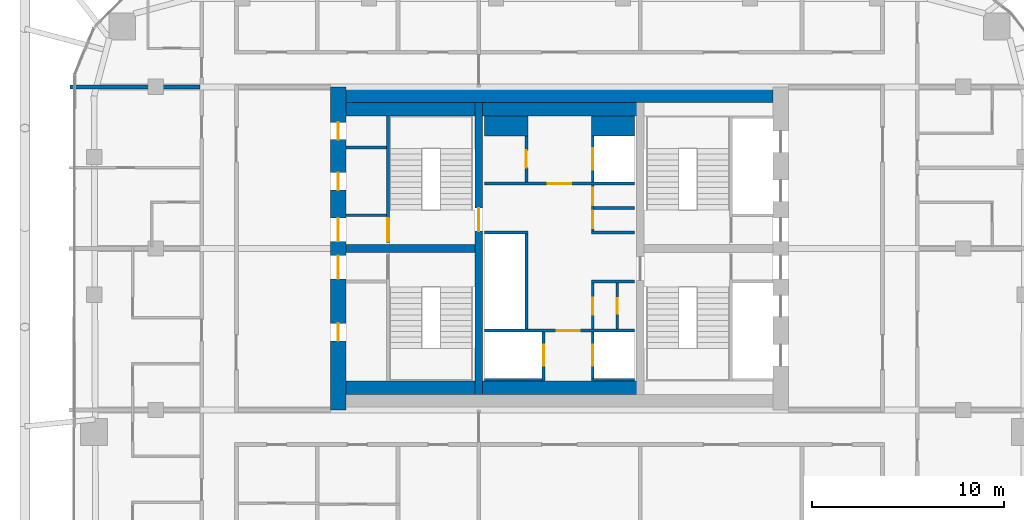
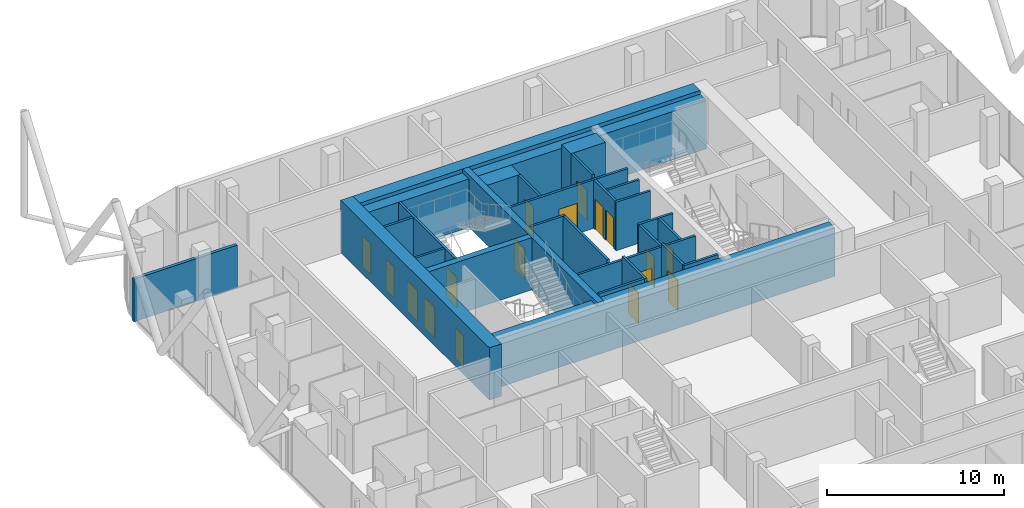
# One storey, part 27 of 31: 28 walls, 17 doors, 17 openings.
"""IFC4 building model written with IfcOpenShell, lengths in metres."""

from ifc_helpers import new_model, si_unit, direction, frame, frame_2d, origin, place, context, subcontext, project, spatial, rectangle, extrude, material, layer, layer_set, type_object, element, fill, save


model = new_model("IFC4")

# Units and contexts
model_context = context("Model", 3, precision=1e-05, world=origin(), true_north=direction((0.0, 1.0)))
body_context = subcontext(model_context, "Body", "Model", "MODEL_VIEW")
ifc_project = project(units=[si_unit("LENGTHUNIT", "METRE"), si_unit("AREAUNIT", "SQUARE_METRE"), si_unit("VOLUMEUNIT", "CUBIC_METRE"), si_unit("PLANEANGLEUNIT", "RADIAN"), si_unit("MASSUNIT", "GRAM", prefix="KILO")], contexts=[model_context])

# Site, building, storey
site_placement = place(None, origin())
site = spatial("IfcSite", under=ifc_project, at=site_placement, CompositionType="ELEMENT")
building_placement = place(site_placement, origin())
building = spatial("IfcBuilding", under=site, at=building_placement, Name="Marenta Gate Hotel Tower", CompositionType="ELEMENT")
storey_placement = place(building_placement, frame((0.0, 0.0, 205.699951171875)))
storey = spatial("IfcBuildingStorey", under=building, at=storey_placement, Name="L47", CompositionType="ELEMENT", Elevation=205.699951171875)

# Walls
ifc_material_1 = material(Name="Concrete C40", Category="concrete")
ifc_layer_1 = layer(ifc_material_1, 0.699951171875)
ifc_layer_set_1 = layer_set([ifc_layer_1], Name="Concrete C40")
wall_type_1 = type_object("IfcWallType", Name="Core lining wall 700 REI 180", PredefinedType="PARTITIONING", material=ifc_layer_set_1)
for number, where, z_axis, x_axis, name in (
    (1, (-11.10009765625, 1.14990234375, 0.0), (0.0, 0.0, 1.0), (1.0, 0.0, 0.0), "L47-CP-LN-S"),
    (2, (-11.10009765625, 15.64990234375, 0.0), (0.0, 0.0, 1.0), (1.0, 0.0, 0.0), "L47-CP-LN-N"),
):
    element("IfcWall", number, at=place(storey_placement, frame(where, z_axis=z_axis, x_axis=x_axis)), inside=storey, type_object=wall_type_1, Name=name, PredefinedType="PARTITIONING", context=body_context, shape_type="SweptSolid", body=[
        extrude(rectangle(XDim=22.2001953125, YDim=0.699951171875, at=frame_2d((11.10009765625, 0.0))), origin(), (0.0, 0.0, 1.0), 3.340087890625),
    ])

# Wall, opening, door
ifc_material_2 = material(Name="Concrete blockwork", Category="masonry")
ifc_layer_2 = layer(ifc_material_2, 0.14990234375)
ifc_layer_set_2 = layer_set([ifc_layer_2], Name="Concrete blockwork")
wall_type_2 = type_object("IfcWallType", Name="Core lobby partition 150 REI 180", PredefinedType="PARTITIONING", material=ifc_layer_set_2)
wall_1_placement = place(storey_placement, frame((-3.89990234375, 4.125, 0.0), z_axis=(0.0, 0.0, 1.0), x_axis=(1.0, 0.0, 0.0)))
wall_1 = element("IfcWall", 3, at=wall_1_placement, inside=storey, type_object=wall_type_2, Name="L47-CP-CW-S", PredefinedType="PARTITIONING", context=body_context, shape_type="SweptSolid", body=[
    extrude(rectangle(XDim=7.7998046875, YDim=0.14990234375, at=frame_2d((3.89990234375, 0.0))), origin(), (0.0, 0.0, 1.0), 3.340087890625),
])
opening_1_placement = place(wall_1_placement, frame((3.75, 0.0, 0.0)))
opening_1 = element("IfcOpeningElement", 4, at=opening_1_placement, cuts=wall_1, Name="Opening FD-FFS", PredefinedType="OPENING", context=body_context, shape_type="SweptSolid", body=[
    extrude(rectangle(XDim=1.199951171875, YDim=2.10009765625, at=frame_2d((0.60009765625, 1.050048828125))), frame((0.0, 0.074951171875, 0.0), z_axis=(0.0, -1.0, 0.0), x_axis=(1.0, 0.0, 0.0)), (0.0, 0.0, 1.0), 0.14990234375),
])
ifc_material_3 = material(Name="Steel", Category="steel")
door_type_1 = type_object("IfcDoorType", Name="Core lobby door 1200x2100 FD60", OperationType="SINGLE_SWING_LEFT", PredefinedType="DOOR", material=ifc_material_3)
door_1_placement = place(opening_1_placement, origin())
door_1 = element("IfcDoor", 5, at=door_1_placement, inside=storey, type_object=door_type_1, Name="FD-FFS", OperationType="SINGLE_SWING_LEFT", OverallHeight=2.10009765625, OverallWidth=1.199951171875, PredefinedType="DOOR", context=body_context, shape_type="SweptSolid", body=[
    extrude(rectangle(XDim=1.199951171875, YDim=2.10009765625, at=frame_2d((0.60009765625, 1.050048828125))), frame((0.0, 0.02490234375, 0.0), z_axis=(0.0, -1.0, 0.0), x_axis=(1.0, 0.0, 0.0)), (0.0, 0.0, 1.0), 0.050048828125),
])
fill(opening_1, door_1)

wall_2_placement = place(storey_placement, frame((-3.89990234375, 11.77490234375, 0.0), z_axis=(0.0, 0.0, 1.0), x_axis=(1.0, 0.0, 0.0)))
wall_2 = element("IfcWall", 6, at=wall_2_placement, inside=storey, type_object=wall_type_2, Name="L47-CP-CW-N", PredefinedType="PARTITIONING", context=body_context, shape_type="SweptSolid", body=[
    extrude(rectangle(XDim=7.7998046875, YDim=0.14990234375, at=frame_2d((3.89990234375, 0.0))), origin(), (0.0, 0.0, 1.0), 3.340087890625),
])
opening_2_placement = place(wall_2_placement, frame((3.300048828125, 0.0, 0.0)))
opening_2 = element("IfcOpeningElement", 7, at=opening_2_placement, cuts=wall_2, Name="Opening FD-FFN", PredefinedType="OPENING", context=body_context, shape_type="SweptSolid", body=[
    extrude(rectangle(XDim=1.199951171875, YDim=2.10009765625, at=frame_2d((0.60009765625, 1.050048828125))), frame((0.0, 0.074951171875, 0.0), z_axis=(0.0, -1.0, 0.0), x_axis=(1.0, 0.0, 0.0)), (0.0, 0.0, 1.0), 0.14990234375),
])
door_2_placement = place(opening_2_placement, origin())
door_2 = element("IfcDoor", 8, at=door_2_placement, inside=storey, type_object=door_type_1, Name="FD-FFN", OperationType="SINGLE_SWING_LEFT", OverallHeight=2.10009765625, OverallWidth=1.199951171875, PredefinedType="DOOR", context=body_context, shape_type="SweptSolid", body=[
    extrude(rectangle(XDim=1.199951171875, YDim=2.10009765625, at=frame_2d((0.60009765625, 1.050048828125))), frame((0.0, 0.02490234375, 0.0), z_axis=(0.0, -1.0, 0.0), x_axis=(1.0, 0.0, 0.0)), (0.0, 0.0, 1.0), 0.050048828125),
])
fill(opening_2, door_2)

# Walls
ifc_material_4 = material(Name="Concrete blockwork", Category="masonry")
ifc_layer_3 = layer(ifc_material_4, 1.050048828125)
ifc_layer_set_3 = layer_set([ifc_layer_3], Name="Concrete blockwork")
wall_type_3 = type_object("IfcWallType", Name="Core room partition 1050 REI 180", PredefinedType="PARTITIONING", material=ifc_layer_set_3)
wall_3_placement = place(storey_placement, frame((-3.89990234375, 14.77490234375, 0.0), z_axis=(0.0, 0.0, 1.0), x_axis=(1.0, 0.0, 0.0)))
element("IfcWall", 9, at=wall_3_placement, inside=storey, type_object=wall_type_3, Name="L47-CP-CW-W-riser-N", PredefinedType="PARTITIONING", context=body_context, shape_type="SweptSolid", body=[
    extrude(rectangle(XDim=2.25, YDim=1.050048828125, at=frame_2d((1.125, 0.0))), origin(), (0.0, 0.0, 1.0), 3.340087890625),
])
ifc_material_5 = material(Name="Concrete blockwork", Category="masonry")
ifc_layer_4 = layer(ifc_material_5, 0.14990234375)
ifc_layer_set_4 = layer_set([ifc_layer_4], Name="Concrete blockwork")
wall_type_4 = type_object("IfcWallType", Name="Core room partition 150 REI 180", PredefinedType="PARTITIONING", material=ifc_layer_set_4)
for number, where, z_axis, x_axis, name in (
    (10, (-11.10009765625, 10.125, 0.0), (0.0, 0.0, 1.0), (1.0, 0.0, 0.0), "L47-CP-SW-WN-2"),
    (11, (-11.10009765625, 13.64990234375, 0.0), (0.0, 0.0, 1.0), (1.0, 0.0, 0.0), "L47-CP-RW-WN-1"),
):
    element("IfcWall", number, at=place(storey_placement, frame(where, z_axis=z_axis, x_axis=x_axis)), inside=storey, type_object=wall_type_4, Name=name, PredefinedType="PARTITIONING", context=body_context, shape_type="SweptSolid", body=[
        extrude(rectangle(XDim=2.10009765625, YDim=0.14990234375, at=frame_2d((1.050048828125, 0.0))), origin(), (0.0, 0.0, 1.0), 3.340087890625),
    ])

# Wall, opening, door
wall_4_placement = place(storey_placement, frame((-1.72509765625, 11.85009765625, 0.0), z_axis=(0.0, 0.0, 1.0), x_axis=(0.0, 1.0, 0.0)))
wall_4 = element("IfcWall", 12, at=wall_4_placement, inside=storey, type_object=wall_type_4, Name="L47-CP-CW-W-riser-front", PredefinedType="PARTITIONING", context=body_context, shape_type="SweptSolid", body=[
    extrude(rectangle(XDim=2.39990234375, YDim=0.14990234375, at=frame_2d((1.199951171875, 0.0))), origin(), (0.0, 0.0, 1.0), 3.340087890625),
])
opening_3_placement = place(wall_4_placement, frame((0.75, 0.0, 0.0)))
opening_3 = element("IfcOpeningElement", 13, at=opening_3_placement, cuts=wall_4, Name="Opening RD-CRISER", PredefinedType="OPENING", context=body_context, shape_type="SweptSolid", body=[
    extrude(rectangle(XDim=0.89990234375, YDim=2.10009765625, at=frame_2d((0.449951171875, 1.050048828125))), frame((0.0, 0.074951171875, 0.0), z_axis=(0.0, -1.0, 0.0), x_axis=(1.0, 0.0, 0.0)), (0.0, 0.0, 1.0), 0.14990234375),
])
ifc_material_6 = material(Name="Steel", Category="steel")
door_type_2 = type_object("IfcDoorType", Name="Core riser door 900x2100 FD60", OperationType="SINGLE_SWING_LEFT", PredefinedType="DOOR", material=ifc_material_6)
door_3_placement = place(opening_3_placement, origin())
door_3 = element("IfcDoor", 14, at=door_3_placement, inside=storey, type_object=door_type_2, Name="RD-CRISER", OperationType="SINGLE_SWING_LEFT", OverallHeight=2.10009765625, OverallWidth=0.89990234375, PredefinedType="DOOR", context=body_context, shape_type="SweptSolid", body=[
    extrude(rectangle(XDim=0.89990234375, YDim=2.10009765625, at=frame_2d((0.449951171875, 1.050048828125))), frame((0.0, 0.02490234375, 0.0), z_axis=(0.0, -1.0, 0.0), x_axis=(1.0, 0.0, 0.0)), (0.0, 0.0, 1.0), 0.050048828125),
])
fill(opening_3, door_3)

# Walls
for number, where, z_axis, x_axis, name in (
    (15, (1.64990234375, 6.675048828125, 0.0), (0.0, 0.0, 1.0), (1.0, 0.0, 0.0), "L47-CP-CE-sep1"),
    (16, (1.64990234375, 9.22509765625, 0.0), (0.0, 0.0, 1.0), (1.0, 0.0, 0.0), "L47-CP-CE-sep2"),
):
    element("IfcWall", number, at=place(storey_placement, frame(where, z_axis=z_axis, x_axis=x_axis)), inside=storey, type_object=wall_type_4, Name=name, PredefinedType="PARTITIONING", context=body_context, shape_type="SweptSolid", body=[
        extrude(rectangle(XDim=2.25, YDim=0.14990234375, at=frame_2d((1.125, 0.0))), origin(), (0.0, 0.0, 1.0), 3.340087890625),
    ])

# Wall, opening, door
wall_5_placement = place(storey_placement, frame((1.72509765625, 4.199951171875, 0.0), z_axis=(0.0, 0.0, 1.0), x_axis=(0.0, 1.0, 0.0)))
wall_5 = element("IfcWall", 17, at=wall_5_placement, inside=storey, type_object=wall_type_4, Name="L47-CP-CE-front-1", PredefinedType="PARTITIONING", context=body_context, shape_type="SweptSolid", body=[
    extrude(rectangle(XDim=2.400146484375, YDim=0.14990234375, at=frame_2d((1.2001953125, 0.0))), origin(), (0.0, 0.0, 1.0), 3.340087890625),
])
opening_4_placement = place(wall_5_placement, frame((0.75, 0.0, 0.0)))
opening_4 = element("IfcOpeningElement", 18, at=opening_4_placement, cuts=wall_5, Name="Opening RD-CE-1a", PredefinedType="OPENING", context=body_context, shape_type="SweptSolid", body=[
    extrude(rectangle(XDim=0.89990234375, YDim=2.10009765625, at=frame_2d((0.449951171875, 1.050048828125))), frame((0.0, 0.074951171875, 0.0), z_axis=(0.0, -1.0, 0.0), x_axis=(1.0, 0.0, 0.0)), (0.0, 0.0, 1.0), 0.14990234375),
])
ifc_material_7 = material(Name="Steel", Category="steel")
door_type_3 = type_object("IfcDoorType", Name="Core service room door 900x2100 FD30S", OperationType="SINGLE_SWING_LEFT", PredefinedType="DOOR", material=ifc_material_7)
door_4_placement = place(opening_4_placement, origin())
door_4 = element("IfcDoor", 19, at=door_4_placement, inside=storey, type_object=door_type_3, Name="RD-CE-1a", OperationType="SINGLE_SWING_LEFT", OverallHeight=2.10009765625, OverallWidth=0.89990234375, PredefinedType="DOOR", context=body_context, shape_type="SweptSolid", body=[
    extrude(rectangle(XDim=0.89990234375, YDim=2.10009765625, at=frame_2d((0.449951171875, 1.050048828125))), frame((0.0, 0.02490234375, 0.0), z_axis=(0.0, -1.0, 0.0), x_axis=(1.0, 0.0, 0.0)), (0.0, 0.0, 1.0), 0.050048828125),
])
fill(opening_4, door_4)

# Wall, openings, doors
wall_6_placement = place(storey_placement, frame((1.72509765625, 9.300048828125, 0.0), z_axis=(0.0, 0.0, 1.0), x_axis=(0.0, 1.0, 0.0)))
wall_6 = element("IfcWall", 20, at=wall_6_placement, inside=storey, type_object=wall_type_4, Name="L47-CP-CE-front-2", PredefinedType="PARTITIONING", context=body_context, shape_type="SweptSolid", body=[
    extrude(rectangle(XDim=2.39990234375, YDim=0.14990234375, at=frame_2d((1.199951171875, 0.0))), origin(), (0.0, 0.0, 1.0), 3.340087890625),
])
opening_5_placement = place(wall_6_placement, frame((0.14990234375, 0.0, 0.0)))
opening_5 = element("IfcOpeningElement", 21, at=opening_5_placement, cuts=wall_6, Name="Opening RD-CE-2a", PredefinedType="OPENING", context=body_context, shape_type="SweptSolid", body=[
    extrude(rectangle(XDim=0.89990234375, YDim=2.10009765625, at=frame_2d((0.449951171875, 1.050048828125))), frame((0.0, 0.074951171875, 0.0), z_axis=(0.0, -1.0, 0.0), x_axis=(1.0, 0.0, 0.0)), (0.0, 0.0, 1.0), 0.14990234375),
])
opening_6_placement = place(wall_6_placement, frame((1.35009765625, 0.0, 0.0)))
opening_6 = element("IfcOpeningElement", 22, at=opening_6_placement, cuts=wall_6, Name="Opening RD-CE-2b-B", PredefinedType="OPENING", context=body_context, shape_type="SweptSolid", body=[
    extrude(rectangle(XDim=0.89990234375, YDim=2.10009765625, at=frame_2d((0.449951171875, 1.050048828125))), frame((0.0, 0.074951171875, 0.0), z_axis=(0.0, -1.0, 0.0), x_axis=(1.0, 0.0, 0.0)), (0.0, 0.0, 1.0), 0.14990234375),
])
door_5_placement = place(opening_5_placement, origin())
door_5 = element("IfcDoor", 23, at=door_5_placement, inside=storey, type_object=door_type_3, Name="RD-CE-2a", OperationType="SINGLE_SWING_LEFT", OverallHeight=2.10009765625, OverallWidth=0.89990234375, PredefinedType="DOOR", context=body_context, shape_type="SweptSolid", body=[
    extrude(rectangle(XDim=0.89990234375, YDim=2.10009765625, at=frame_2d((0.449951171875, 1.050048828125))), frame((0.0, 0.02490234375, 0.0), z_axis=(0.0, -1.0, 0.0), x_axis=(1.0, 0.0, 0.0)), (0.0, 0.0, 1.0), 0.050048828125),
])
fill(opening_5, door_5)
door_6_placement = place(opening_6_placement, origin())
door_6 = element("IfcDoor", 24, at=door_6_placement, inside=storey, type_object=door_type_3, Name="RD-CE-2b-B", OperationType="SINGLE_SWING_LEFT", OverallHeight=2.10009765625, OverallWidth=0.89990234375, PredefinedType="DOOR", context=body_context, shape_type="SweptSolid", body=[
    extrude(rectangle(XDim=0.89990234375, YDim=2.10009765625, at=frame_2d((0.449951171875, 1.050048828125))), frame((0.0, 0.02490234375, 0.0), z_axis=(0.0, -1.0, 0.0), x_axis=(1.0, 0.0, 0.0)), (0.0, 0.0, 1.0), 0.050048828125),
])
fill(opening_6, door_6)

# Wall, opening, door
wall_7_placement = place(storey_placement, frame((3.0, 4.199951171875, 0.0), z_axis=(0.0, 0.0, 1.0), x_axis=(0.0, 1.0, 0.0)))
wall_7 = element("IfcWall", 25, at=wall_7_placement, inside=storey, type_object=wall_type_4, Name="L47-CP-CE-RW-1", PredefinedType="PARTITIONING", context=body_context, shape_type="SweptSolid", body=[
    extrude(rectangle(XDim=2.400146484375, YDim=0.14990234375, at=frame_2d((1.2001953125, 0.0))), origin(), (0.0, 0.0, 1.0), 3.340087890625),
])
opening_7_placement = place(wall_7_placement, frame((0.800048828125, 0.0, 0.0)))
opening_7 = element("IfcOpeningElement", 26, at=opening_7_placement, cuts=wall_7, Name="Opening RD-CE-1b-A", PredefinedType="OPENING", context=body_context, shape_type="SweptSolid", body=[
    extrude(rectangle(XDim=0.800048828125, YDim=2.10009765625, at=frame_2d((0.39990234375, 1.050048828125))), frame((0.0, 0.074951171875, 0.0), z_axis=(0.0, -1.0, 0.0), x_axis=(1.0, 0.0, 0.0)), (0.0, 0.0, 1.0), 0.14990234375),
])
ifc_material_8 = material(Name="Steel", Category="steel")
door_type_4 = type_object("IfcDoorType", Name="Core riser door 800x2100 FD60", OperationType="SINGLE_SWING_LEFT", PredefinedType="DOOR", material=ifc_material_8)
door_7_placement = place(opening_7_placement, origin())
door_7 = element("IfcDoor", 27, at=door_7_placement, inside=storey, type_object=door_type_4, Name="RD-CE-1b-A", OperationType="SINGLE_SWING_LEFT", OverallHeight=2.10009765625, OverallWidth=0.800048828125, PredefinedType="DOOR", context=body_context, shape_type="SweptSolid", body=[
    extrude(rectangle(XDim=0.800048828125, YDim=2.10009765625, at=frame_2d((0.39990234375, 1.050048828125))), frame((0.0, 0.02490234375, 0.0), z_axis=(0.0, -1.0, 0.0), x_axis=(1.0, 0.0, 0.0)), (0.0, 0.0, 1.0), 0.050048828125),
])
fill(opening_7, door_7)

# Walls
wall_8_placement = place(storey_placement, frame((1.800048828125, 10.5, 0.0), z_axis=(0.0, 0.0, 1.0), x_axis=(1.0, 0.0, 0.0)))
element("IfcWall", 28, at=wall_8_placement, inside=storey, type_object=wall_type_4, Name="L47-CP-CE-RW-2", PredefinedType="PARTITIONING", context=body_context, shape_type="SweptSolid", body=[
    extrude(rectangle(XDim=2.099853515625, YDim=0.14990234375, at=frame_2d((1.0498046875, 0.0))), origin(), (0.0, 0.0, 1.0), 3.340087890625),
])
ifc_material_9 = material(Name="Concrete C40", Category="concrete")
ifc_layer_5 = layer(ifc_material_9, 1.050048828125)
ifc_layer_set_5 = layer_set([ifc_layer_5], Name="Concrete C40")
wall_type_5 = type_object("IfcWallType", Name="Core shaft wall 1050 REI 180", PredefinedType="SHEAR", material=ifc_layer_set_5)
wall_9_placement = place(storey_placement, frame((1.64990234375, 14.77490234375, 0.0), z_axis=(0.0, 0.0, 1.0), x_axis=(1.0, 0.0, 0.0)))
element("IfcWall", 29, at=wall_9_placement, inside=storey, type_object=wall_type_5, Name="L47-SHF-CE-N-top", PredefinedType="SHEAR", context=body_context, shape_type="SweptSolid", body=[
    extrude(rectangle(XDim=2.25, YDim=1.050048828125, at=frame_2d((1.125, 0.0))), origin(), (0.0, 0.0, 1.0), 3.60009765625),
])

# Wall, opening, door
ifc_material_10 = material(Name="Concrete C40", Category="concrete")
ifc_layer_6 = layer(ifc_material_10, 0.14990234375)
ifc_layer_set_6 = layer_set([ifc_layer_6], Name="Concrete C40")
wall_type_6 = type_object("IfcWallType", Name="Core shaft wall 150 REI 180", PredefinedType="SHEAR", material=ifc_layer_set_6)
wall_10_placement = place(storey_placement, frame((-0.824951171875, 1.5, 0.0), z_axis=(0.0, 0.0, 1.0), x_axis=(0.0, 1.0, 0.0)))
wall_10 = element("IfcWall", 30, at=wall_10_placement, inside=storey, type_object=wall_type_6, Name="L47-SHF-CW-W-ff", PredefinedType="SHEAR", context=body_context, shape_type="SweptSolid", body=[
    extrude(rectangle(XDim=2.550048828125, YDim=0.14990234375, at=frame_2d((1.27490234375, 0.0))), origin(), (0.0, 0.0, 1.0), 3.60009765625),
])
opening_8_placement = place(wall_10_placement, frame((0.800048828125, 0.0, 0.0)))
opening_8 = element("IfcOpeningElement", 31, at=opening_8_placement, cuts=wall_10, Name="Opening LD-FF1", PredefinedType="OPENING", context=body_context, shape_type="SweptSolid", body=[
    extrude(rectangle(XDim=1.10009765625, YDim=2.10009765625, at=frame_2d((0.550048828125, 1.050048828125))), frame((0.0, 0.074951171875, 0.0), z_axis=(0.0, -1.0, 0.0), x_axis=(1.0, 0.0, 0.0)), (0.0, 0.0, 1.0), 0.14990234375),
])
ifc_material_11 = material(Name="Steel", Category="steel")
door_type_5 = type_object("IfcDoorType", Name="Core lift landing door 1100x2100 E 60", OperationType="SLIDING_TO_LEFT", PredefinedType="DOOR", material=ifc_material_11)
door_8_placement = place(opening_8_placement, origin())
door_8 = element("IfcDoor", 32, at=door_8_placement, inside=storey, type_object=door_type_5, Name="LD-FF1", OperationType="SLIDING_TO_LEFT", OverallHeight=2.10009765625, OverallWidth=1.10009765625, PredefinedType="DOOR", context=body_context, shape_type="SweptSolid", body=[
    extrude(rectangle(XDim=1.10009765625, YDim=2.10009765625, at=frame_2d((0.550048828125, 1.050048828125))), frame((0.0, 0.02490234375, 0.0), z_axis=(0.0, -1.0, 0.0), x_axis=(1.0, 0.0, 0.0)), (0.0, 0.0, 1.0), 0.050048828125),
])
fill(opening_8, door_8)

# Walls
wall_11_placement = place(storey_placement, frame((-3.89990234375, 1.574951171875, 0.0), z_axis=(0.0, 0.0, 1.0), x_axis=(1.0, 0.0, 0.0)))
element("IfcWall", 33, at=wall_11_placement, inside=storey, type_object=wall_type_6, Name="L47-SHF-CW-W-ffs", PredefinedType="SHEAR", context=body_context, shape_type="SweptSolid", body=[
    extrude(rectangle(XDim=3.0, YDim=0.14990234375, at=frame_2d((1.5, 0.0))), origin(), (0.0, 0.0, 1.0), 3.60009765625),
])
wall_12_placement = place(storey_placement, frame((-1.72509765625, 4.199951171875, 0.0), z_axis=(0.0, 0.0, 1.0), x_axis=(0.0, 1.0, 0.0)))
element("IfcWall", 34, at=wall_12_placement, inside=storey, type_object=wall_type_6, Name="L47-SHF-CW-W-front", PredefinedType="SHEAR", context=body_context, shape_type="SweptSolid", body=[
    extrude(rectangle(XDim=4.949951171875, YDim=0.14990234375, at=frame_2d((2.47509765625, 0.0))), origin(), (0.0, 0.0, 1.0), 3.60009765625),
])
wall_13_placement = place(storey_placement, frame((-3.89990234375, 9.22509765625, 0.0), z_axis=(0.0, 0.0, 1.0), x_axis=(1.0, 0.0, 0.0)))
element("IfcWall", 35, at=wall_13_placement, inside=storey, type_object=wall_type_6, Name="L47-SHF-CW-W-sep", PredefinedType="SHEAR", context=body_context, shape_type="SweptSolid", body=[
    extrude(rectangle(XDim=2.25, YDim=0.14990234375, at=frame_2d((1.125, 0.0))), origin(), (0.0, 0.0, 1.0), 3.60009765625),
])

# Wall, opening, door
wall_14_placement = place(storey_placement, frame((1.72509765625, 1.64990234375, 0.0), z_axis=(0.0, 0.0, 1.0), x_axis=(0.0, 1.0, 0.0)))
wall_14 = element("IfcWall", 36, at=wall_14_placement, inside=storey, type_object=wall_type_6, Name="L47-SHF-CE-S-ls", PredefinedType="SHEAR", context=body_context, shape_type="SweptSolid", body=[
    extrude(rectangle(XDim=2.400146484375, YDim=0.14990234375, at=frame_2d((1.2001953125, 0.0))), origin(), (0.0, 0.0, 1.0), 3.60009765625),
])
opening_9_placement = place(wall_14_placement, frame((0.64990234375, 0.0, 0.0)))
opening_9 = element("IfcOpeningElement", 37, at=opening_9_placement, cuts=wall_14, Name="Opening LD-SV1", PredefinedType="OPENING", context=body_context, shape_type="SweptSolid", body=[
    extrude(rectangle(XDim=1.10009765625, YDim=2.10009765625, at=frame_2d((0.550048828125, 1.050048828125))), frame((0.0, 0.074951171875, 0.0), z_axis=(0.0, -1.0, 0.0), x_axis=(1.0, 0.0, 0.0)), (0.0, 0.0, 1.0), 0.14990234375),
])
door_9_placement = place(opening_9_placement, origin())
door_9 = element("IfcDoor", 38, at=door_9_placement, inside=storey, type_object=door_type_5, Name="LD-SV1", OperationType="SLIDING_TO_LEFT", OverallHeight=2.10009765625, OverallWidth=1.10009765625, PredefinedType="DOOR", context=body_context, shape_type="SweptSolid", body=[
    extrude(rectangle(XDim=1.10009765625, YDim=2.10009765625, at=frame_2d((0.550048828125, 1.050048828125))), frame((0.0, 0.02490234375, 0.0), z_axis=(0.0, -1.0, 0.0), x_axis=(1.0, 0.0, 0.0)), (0.0, 0.0, 1.0), 0.050048828125),
])
fill(opening_9, door_9)

# Wall
wall_15_placement = place(storey_placement, frame((1.64990234375, 1.574951171875, 0.0), z_axis=(0.0, 0.0, 1.0), x_axis=(1.0, 0.0, 0.0)))
element("IfcWall", 39, at=wall_15_placement, inside=storey, type_object=wall_type_6, Name="L47-SHF-CE-S-bot", PredefinedType="SHEAR", context=body_context, shape_type="SweptSolid", body=[
    extrude(rectangle(XDim=2.25, YDim=0.14990234375, at=frame_2d((1.125, 0.0))), origin(), (0.0, 0.0, 1.0), 3.60009765625),
])

# Wall, opening, door
wall_16_placement = place(storey_placement, frame((1.72509765625, 11.85009765625, 0.0), z_axis=(0.0, 0.0, 1.0), x_axis=(0.0, 1.0, 0.0)))
wall_16 = element("IfcWall", 40, at=wall_16_placement, inside=storey, type_object=wall_type_6, Name="L47-SHF-CE-N-front2", PredefinedType="SHEAR", context=body_context, shape_type="SweptSolid", body=[
    extrude(rectangle(XDim=2.39990234375, YDim=0.14990234375, at=frame_2d((1.199951171875, 0.0))), origin(), (0.0, 0.0, 1.0), 3.60009765625),
])
opening_10_placement = place(wall_16_placement, frame((0.64990234375, 0.0, 0.0)))
opening_10 = element("IfcOpeningElement", 41, at=opening_10_placement, cuts=wall_16, Name="Opening LD-FF2", PredefinedType="OPENING", context=body_context, shape_type="SweptSolid", body=[
    extrude(rectangle(XDim=1.10009765625, YDim=2.10009765625, at=frame_2d((0.550048828125, 1.050048828125))), frame((0.0, 0.074951171875, 0.0), z_axis=(0.0, -1.0, 0.0), x_axis=(1.0, 0.0, 0.0)), (0.0, 0.0, 1.0), 0.14990234375),
])
door_10_placement = place(opening_10_placement, origin())
door_10 = element("IfcDoor", 42, at=door_10_placement, inside=storey, type_object=door_type_5, Name="LD-FF2", OperationType="SLIDING_TO_LEFT", OverallHeight=2.10009765625, OverallWidth=1.10009765625, PredefinedType="DOOR", context=body_context, shape_type="SweptSolid", body=[
    extrude(rectangle(XDim=1.10009765625, YDim=2.10009765625, at=frame_2d((0.550048828125, 1.050048828125))), frame((0.0, 0.02490234375, 0.0), z_axis=(0.0, -1.0, 0.0), x_axis=(1.0, 0.0, 0.0)), (0.0, 0.0, 1.0), 0.050048828125),
])
fill(opening_10, door_10)

ifc_material_12 = material(Name="Concrete C40", Category="concrete")
ifc_layer_7 = layer(ifc_material_12, 0.14990234375)
ifc_layer_set_7 = layer_set([ifc_layer_7], Name="Concrete C40")
wall_type_7 = type_object("IfcWallType", Name="Core stair enclosure wall 150 REI 180", PredefinedType="SHEAR", material=ifc_layer_set_7)
wall_17_placement = place(storey_placement, frame((-8.925048828125, 8.699951171875, 0.0), z_axis=(0.0, 0.0, 1.0), x_axis=(0.0, 1.0, 0.0)))
wall_17 = element("IfcWall", 43, at=wall_17_placement, inside=storey, type_object=wall_type_7, Name="L47-SHF-SW-WN-3", PredefinedType="SHEAR", context=body_context, shape_type="SweptSolid", body=[
    extrude(rectangle(XDim=6.60009765625, YDim=0.14990234375, at=frame_2d((3.300048828125, 0.0))), origin(), (0.0, 0.0, 1.0), 3.340087890625),
])
opening_11_placement = place(wall_17_placement, frame((0.074951171875, 0.0, 0.0)))
opening_11 = element("IfcOpeningElement", 44, at=opening_11_placement, cuts=wall_17, Name="Opening SD-WN", PredefinedType="OPENING", context=body_context, shape_type="SweptSolid", body=[
    extrude(rectangle(XDim=1.199951171875, YDim=2.10009765625, at=frame_2d((0.60009765625, 1.050048828125))), frame((0.0, 0.074951171875, 0.0), z_axis=(0.0, -1.0, 0.0), x_axis=(1.0, 0.0, 0.0)), (0.0, 0.0, 1.0), 0.14990234375),
])
ifc_material_13 = material(Name="Steel", Category="steel")
door_type_6 = type_object("IfcDoorType", Name="Core stair door 1200x2100 FD60", OperationType="SINGLE_SWING_LEFT", PredefinedType="DOOR", material=ifc_material_13)
door_11_placement = place(opening_11_placement, origin())
door_11 = element("IfcDoor", 45, at=door_11_placement, inside=storey, type_object=door_type_6, Name="SD-WN", OperationType="SINGLE_SWING_LEFT", OverallHeight=2.10009765625, OverallWidth=1.199951171875, PredefinedType="DOOR", context=body_context, shape_type="SweptSolid", body=[
    extrude(rectangle(XDim=1.199951171875, YDim=2.10009765625, at=frame_2d((0.60009765625, 1.050048828125))), frame((0.0, 0.02490234375, 0.0), z_axis=(0.0, -1.0, 0.0), x_axis=(1.0, 0.0, 0.0)), (0.0, 0.0, 1.0), 0.050048828125),
])
fill(opening_11, door_11)

# Wall, openings, doors
ifc_material_14 = material(Name="Concrete C60", Category="concrete")
ifc_layer_8 = layer(ifc_material_14, 0.800048828125)
ifc_layer_set_8 = layer_set([ifc_layer_8], Name="Concrete C60")
wall_type_8 = type_object("IfcWallType", Name="Core wall 800 C60", PredefinedType="SHEAR", material=ifc_layer_set_8)
wall_18_placement = place(storey_placement, frame((-11.5, 0.0, 0.0), z_axis=(0.0, 0.0, 1.0), x_axis=(0.0, 1.0, 0.0)))
wall_18 = element("IfcWall", 46, at=wall_18_placement, inside=storey, type_object=wall_type_8, Name="L47-CORE-W", PredefinedType="SHEAR", context=body_context, shape_type="SweptSolid", body=[
    extrude(rectangle(XDim=16.800048828125, YDim=0.800048828125, at=frame_2d((8.39990234375, 0.0))), origin(), (0.0, 0.0, 1.0), 3.60009765625),
])
opening_12_placement = place(wall_18_placement, frame((3.60009765625, 0.0, 0.0)))
opening_12 = element("IfcOpeningElement", 47, at=opening_12_placement, cuts=wall_18, Name="Opening RD-WS-1", PredefinedType="OPENING", context=body_context, shape_type="SweptSolid", body=[
    extrude(rectangle(XDim=0.89990234375, YDim=2.10009765625, at=frame_2d((0.449951171875, 1.050048828125))), frame((0.0, 0.39990234375, 0.0), z_axis=(0.0, -1.0, 0.0), x_axis=(1.0, 0.0, 0.0)), (0.0, 0.0, 1.0), 0.800048828125),
])
opening_13_placement = place(wall_18_placement, frame((6.824951171875, 0.0, 0.0)))
opening_13 = element("IfcOpeningElement", 48, at=opening_13_placement, cuts=wall_18, Name="Opening PD-WS", PredefinedType="OPENING", context=body_context, shape_type="SweptSolid", body=[
    extrude(rectangle(XDim=1.199951171875, YDim=2.10009765625, at=frame_2d((0.60009765625, 1.050048828125))), frame((0.0, 0.39990234375, 0.0), z_axis=(0.0, -1.0, 0.0), x_axis=(1.0, 0.0, 0.0)), (0.0, 0.0, 1.0), 0.800048828125),
])
opening_14_placement = place(wall_18_placement, frame((14.0625, 0.0, 0.0)))
opening_14 = element("IfcOpeningElement", 49, at=opening_14_placement, cuts=wall_18, Name="Opening RD-WN-1", PredefinedType="OPENING", context=body_context, shape_type="SweptSolid", body=[
    extrude(rectangle(XDim=0.89990234375, YDim=2.10009765625, at=frame_2d((0.449951171875, 1.050048828125))), frame((0.0, 0.39990234375, 0.0), z_axis=(0.0, -1.0, 0.0), x_axis=(1.0, 0.0, 0.0)), (0.0, 0.0, 1.0), 0.800048828125),
])
opening_15_placement = place(wall_18_placement, frame((11.4375, 0.0, 0.0)))
opening_15 = element("IfcOpeningElement", 50, at=opening_15_placement, cuts=wall_18, Name="Opening RD-WN-2", PredefinedType="OPENING", context=body_context, shape_type="SweptSolid", body=[
    extrude(rectangle(XDim=0.89990234375, YDim=2.10009765625, at=frame_2d((0.449951171875, 1.050048828125))), frame((0.0, 0.39990234375, 0.0), z_axis=(0.0, -1.0, 0.0), x_axis=(1.0, 0.0, 0.0)), (0.0, 0.0, 1.0), 0.800048828125),
])
opening_16_placement = place(wall_18_placement, frame((8.77490234375, 0.0, 0.0)))
opening_16 = element("IfcOpeningElement", 51, at=opening_16_placement, cuts=wall_18, Name="Opening PD-WN", PredefinedType="OPENING", context=body_context, shape_type="SweptSolid", body=[
    extrude(rectangle(XDim=1.199951171875, YDim=2.10009765625, at=frame_2d((0.60009765625, 1.050048828125))), frame((0.0, 0.39990234375, 0.0), z_axis=(0.0, -1.0, 0.0), x_axis=(1.0, 0.0, 0.0)), (0.0, 0.0, 1.0), 0.800048828125),
])
door_12_placement = place(opening_13_placement, origin())
door_12 = element("IfcDoor", 52, at=door_12_placement, inside=storey, type_object=door_type_1, Name="PD-WS", OperationType="SINGLE_SWING_LEFT", OverallHeight=2.10009765625, OverallWidth=1.199951171875, PredefinedType="DOOR", context=body_context, shape_type="SweptSolid", body=[
    extrude(rectangle(XDim=1.199951171875, YDim=2.10009765625, at=frame_2d((0.60009765625, 1.050048828125))), frame((0.0, 0.02490234375, 0.0), z_axis=(0.0, -1.0, 0.0), x_axis=(1.0, 0.0, 0.0)), (0.0, 0.0, 1.0), 0.050048828125),
])
fill(opening_13, door_12)
door_13_placement = place(opening_16_placement, origin())
door_13 = element("IfcDoor", 53, at=door_13_placement, inside=storey, type_object=door_type_1, Name="PD-WN", OperationType="SINGLE_SWING_LEFT", OverallHeight=2.10009765625, OverallWidth=1.199951171875, PredefinedType="DOOR", context=body_context, shape_type="SweptSolid", body=[
    extrude(rectangle(XDim=1.199951171875, YDim=2.10009765625, at=frame_2d((0.60009765625, 1.050048828125))), frame((0.0, 0.02490234375, 0.0), z_axis=(0.0, -1.0, 0.0), x_axis=(1.0, 0.0, 0.0)), (0.0, 0.0, 1.0), 0.050048828125),
])
fill(opening_16, door_13)
door_14_placement = place(opening_12_placement, origin())
door_14 = element("IfcDoor", 54, at=door_14_placement, inside=storey, type_object=door_type_3, Name="RD-WS-1", OperationType="SINGLE_SWING_LEFT", OverallHeight=2.10009765625, OverallWidth=0.89990234375, PredefinedType="DOOR", context=body_context, shape_type="SweptSolid", body=[
    extrude(rectangle(XDim=0.89990234375, YDim=2.10009765625, at=frame_2d((0.449951171875, 1.050048828125))), frame((0.0, 0.02490234375, 0.0), z_axis=(0.0, -1.0, 0.0), x_axis=(1.0, 0.0, 0.0)), (0.0, 0.0, 1.0), 0.050048828125),
])
fill(opening_12, door_14)
door_15_placement = place(opening_14_placement, origin())
door_15 = element("IfcDoor", 55, at=door_15_placement, inside=storey, type_object=door_type_3, Name="RD-WN-1", OperationType="SINGLE_SWING_LEFT", OverallHeight=2.10009765625, OverallWidth=0.89990234375, PredefinedType="DOOR", context=body_context, shape_type="SweptSolid", body=[
    extrude(rectangle(XDim=0.89990234375, YDim=2.10009765625, at=frame_2d((0.449951171875, 1.050048828125))), frame((0.0, 0.02490234375, 0.0), z_axis=(0.0, -1.0, 0.0), x_axis=(1.0, 0.0, 0.0)), (0.0, 0.0, 1.0), 0.050048828125),
])
fill(opening_14, door_15)
door_16_placement = place(opening_15_placement, origin())
door_16 = element("IfcDoor", 56, at=door_16_placement, inside=storey, type_object=door_type_3, Name="RD-WN-2", OperationType="SINGLE_SWING_LEFT", OverallHeight=2.10009765625, OverallWidth=0.89990234375, PredefinedType="DOOR", context=body_context, shape_type="SweptSolid", body=[
    extrude(rectangle(XDim=0.89990234375, YDim=2.10009765625, at=frame_2d((0.449951171875, 1.050048828125))), frame((0.0, 0.02490234375, 0.0), z_axis=(0.0, -1.0, 0.0), x_axis=(1.0, 0.0, 0.0)), (0.0, 0.0, 1.0), 0.050048828125),
])
fill(opening_15, door_16)

# Wall
wall_19_placement = place(storey_placement, frame((-11.10009765625, 16.39990234375, 0.0), z_axis=(0.0, 0.0, 1.0), x_axis=(1.0, 0.0, 0.0)))
element("IfcWall", 57, at=wall_19_placement, inside=storey, type_object=wall_type_8, Name="L47-CORE-N", PredefinedType="SHEAR", context=body_context, shape_type="SweptSolid", body=[
    extrude(rectangle(XDim=22.2001953125, YDim=0.800048828125, at=frame_2d((11.10009765625, 0.0))), origin(), (0.0, 0.0, 1.0), 3.60009765625),
])

# Wall, opening, door
ifc_material_15 = material(Name="Concrete C60", Category="concrete")
ifc_layer_9 = layer(ifc_material_15, 0.39990234375)
ifc_layer_set_9 = layer_set([ifc_layer_9], Name="Concrete C60")
wall_type_9 = type_object("IfcWallType", Name="Core web 400 C60", PredefinedType="SHEAR", material=ifc_layer_set_9)
wall_20_placement = place(storey_placement, frame((-4.199951171875, 0.800048828125, 0.0), z_axis=(0.0, 0.0, 1.0), x_axis=(0.0, 1.0, 0.0)))
wall_20 = element("IfcWall", 58, at=wall_20_placement, inside=storey, type_object=wall_type_9, Name="L47-CORE-W1", PredefinedType="SHEAR", context=body_context, shape_type="SweptSolid", body=[
    extrude(rectangle(XDim=15.199951171875, YDim=0.39990234375, at=frame_2d((7.60009765625, 0.0))), origin(), (0.0, 0.0, 1.0), 3.60009765625),
])
opening_17_placement = place(wall_20_placement, frame((8.5, 0.0, 0.0)))
opening_17 = element("IfcOpeningElement", 59, at=opening_17_placement, cuts=wall_20, Name="Opening WD-W", PredefinedType="OPENING", context=body_context, shape_type="SweptSolid", body=[
    extrude(rectangle(XDim=1.199951171875, YDim=2.10009765625, at=frame_2d((0.60009765625, 1.050048828125))), frame((0.0, 0.199951171875, 0.0), z_axis=(0.0, -1.0, 0.0), x_axis=(1.0, 0.0, 0.0)), (0.0, 0.0, 1.0), 0.39990234375),
])
door_17_placement = place(opening_17_placement, origin())
door_17 = element("IfcDoor", 60, at=door_17_placement, inside=storey, type_object=door_type_6, Name="WD-W", OperationType="SINGLE_SWING_LEFT", OverallHeight=2.10009765625, OverallWidth=1.199951171875, PredefinedType="DOOR", context=body_context, shape_type="SweptSolid", body=[
    extrude(rectangle(XDim=1.199951171875, YDim=2.10009765625, at=frame_2d((0.60009765625, 1.050048828125))), frame((0.0, 0.02490234375, 0.0), z_axis=(0.0, -1.0, 0.0), x_axis=(1.0, 0.0, 0.0)), (0.0, 0.0, 1.0), 0.050048828125),
])
fill(opening_17, door_17)

# Walls
wall_21_placement = place(storey_placement, frame((-11.10009765625, 8.39990234375, 0.0), z_axis=(0.0, 0.0, 1.0), x_axis=(1.0, 0.0, 0.0)))
element("IfcWall", 61, at=wall_21_placement, inside=storey, type_object=wall_type_9, Name="L47-CORE-W3", PredefinedType="SHEAR", context=body_context, shape_type="SweptSolid", body=[
    extrude(rectangle(XDim=6.7001953125, YDim=0.39990234375, at=frame_2d((3.35009765625, 0.0))), origin(), (0.0, 0.0, 1.0), 3.60009765625),
])
ifc_material_16 = material(Name="Gypsum board on steel stud", Category="steel")
ifc_layer_10 = layer(ifc_material_16, 0.199951171875)
ifc_layer_set_10 = layer_set([ifc_layer_10], Name="Gypsum board on steel stud")
wall_type_10 = type_object("IfcWallType", Name="Room party wall 200 EI 60", PredefinedType="PARTITIONING", material=ifc_layer_set_10)
wall_22_placement = place(storey_placement, frame((-25.447021484375, 16.800048828125, 0.0), z_axis=(0.0, 0.0, 1.0), x_axis=(1.0, 0.0, 0.0)))
element("IfcWall", 62, at=wall_22_placement, inside=storey, type_object=wall_type_10, Name="L47-PTN-W097", PredefinedType="PARTITIONING", context=body_context, shape_type="SweptSolid", body=[
    extrude(rectangle(XDim=6.7470703125, YDim=0.199951171875, at=frame_2d((3.37353515625, 0.0))), origin(), (0.0, 0.0, 1.0), 2.93994140625),
])

save(model, "model.ifc")
